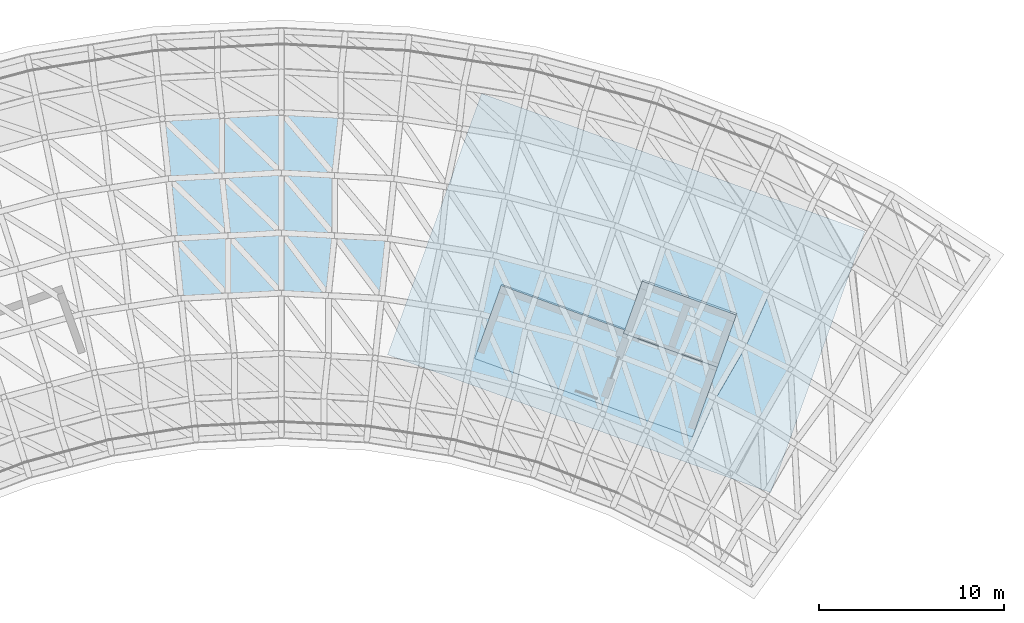
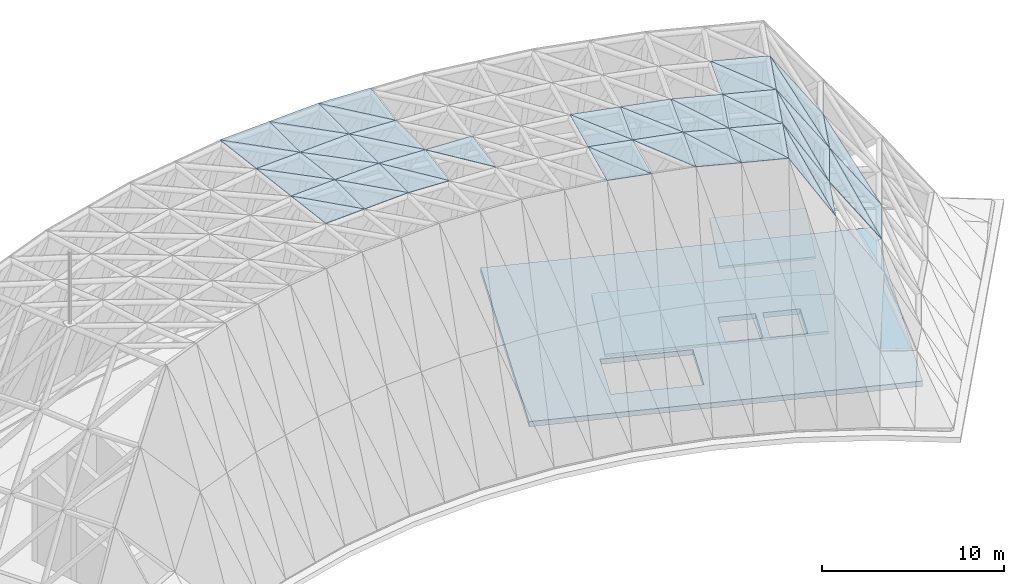
# One storey, part 16 of 20: 45 plates, 3 slabs, 26 elements without a shape of their own.
"""IFC4 building model written with IfcOpenShell, lengths in metres."""

from ifc_helpers import new_model, si_unit, direction, frame, origin, place, context, subcontext, project, spatial, polyline, outline, extrude, material, layer, layer_set, type_object, element, aggregate, save


model = new_model("IFC4")

# Units and contexts
model_context = context("Model", 3, precision=1e-05, world=origin(), true_north=direction((0.0, 1.0)))
body_context = subcontext(model_context, "Body", "Model", "MODEL_VIEW")
ifc_project = project(units=[si_unit("LENGTHUNIT", "METRE"), si_unit("AREAUNIT", "SQUARE_METRE"), si_unit("VOLUMEUNIT", "CUBIC_METRE"), si_unit("PLANEANGLEUNIT", "RADIAN"), si_unit("MASSUNIT", "GRAM", prefix="KILO")], contexts=[model_context])

# Site, building, storey
site_placement = place(None, origin())
site = spatial("IfcSite", under=ifc_project, at=site_placement, CompositionType="ELEMENT")
building_placement = place(site_placement, origin())
building = spatial("IfcBuilding", under=site, at=building_placement, Name="Stone Belt Terrace Tower", CompositionType="ELEMENT")
storey_placement = place(building_placement, frame((0.0, 0.0, 337.39990234375)))
storey = spatial("IfcBuildingStorey", under=building, at=storey_placement, Name="RF", CompositionType="ELEMENT", Elevation=337.39990234375)

# Slab
ifc_material_1 = material(Name="Concrete B40", Category="concrete")
ifc_layer_1 = layer(ifc_material_1, 0.35009765625)
ifc_layer_set_1 = layer_set([ifc_layer_1], Name="Core roof slab 350")
slab_type_1 = type_object("IfcSlabType", Name="Core roof slab 350", PredefinedType="ROOF", material=ifc_layer_set_1)
slab_1_placement = place(storey_placement, frame((0.0, 0.0, -0.349853515625)))
element("IfcSlab", 1, at=slab_1_placement, inside=storey, type_object=slab_type_1, Name="Core B roof", PredefinedType="ROOF", context=body_context, shape_type="SweptSolid", body=[
    extrude(outline(polyline([(26.43505859375, 40.968994140625), (31.513916015625, 55.0830078125), (10.81396484375, 62.531982421875), (5.735107421875, 48.4189453125), (26.43505859375, 40.968994140625)]), holes=[polyline([(15.846923828125, 46.69189453125), (10.955078125, 48.452880859375), (12.10595703125, 51.652099609375), (16.998046875, 49.89208984375), (15.846923828125, 46.69189453125)]), polyline([(24.06298828125, 50.324951171875), (23.25, 48.06689453125), (21.27392578125, 48.778076171875), (22.0869140625, 51.035888671875), (24.06298828125, 50.324951171875)]), polyline([(21.7109375, 51.1708984375), (20.89794921875, 48.9130859375), (18.922119140625, 49.6240234375), (19.735107421875, 51.883056640625), (21.7109375, 51.1708984375)])]), origin(), (0.0, 0.0, 1.0), 0.349853515625),
])

# Curtain wall, plate
ifc_material_2 = material(Name="Structural steel C345", Category="steel")
ifc_layer_2 = layer(ifc_material_2, 0.324951171875)
ifc_layer_set_2 = layer_set([ifc_layer_2], Name="CW-F glass point curtain wall")
curtain_wall_type = type_object("IfcCurtainWallType", Name="CW-F glass point curtain wall", PredefinedType="NOTDEFINED", material=ifc_layer_set_2)
curtain_wall_1_placement = place(storey_placement, origin())
curtain_wall_1 = element("IfcCurtainWall", 2, at=curtain_wall_1_placement, inside=storey, type_object=curtain_wall_type, Name="CW-F glass point panels 24", PredefinedType="NOTDEFINED")
ifc_material_3 = material(Name="Clear double glazed unit")
ifc_layer_3 = layer(ifc_material_3, 0.044921875)
ifc_layer_set_3 = layer_set([ifc_layer_3], Name="Glass point facet panel 45")
plate_type = type_object("IfcPlateType", Name="Glass point facet panel 45", PredefinedType="CURTAIN_PANEL", material=ifc_layer_set_3)
plate_1_placement = place(storey_placement, frame((-6.448486328125, 61.318115234375, 15.37060546875), z_axis=(0.000151312386, 3.68658e-07, 0.999999988552), x_axis=(0.998628027032, 0.052364499299, -0.000151124096)))
plate_1 = element("IfcPlate", 3, at=plate_1_placement, type_object=plate_type, Name="GLASS POINT FACET 169", PredefinedType="CURTAIN_PANEL", context=body_context, shape_type="SweptSolid", body=[
    extrude(outline(polyline([(0.0, 0.0), (3.230995338262432, -1.659822974613651e-17), (3.060879802423512, -3.4027428392990324), (0.0, 0.0)])), origin(), (0.0, 0.0, -1.0), 0.044921875),
])

curtain_wall_2_placement = place(storey_placement, origin())
curtain_wall_2 = element("IfcCurtainWall", 4, at=curtain_wall_2_placement, inside=storey, type_object=curtain_wall_type, Name="CW-F glass point panels 4", PredefinedType="NOTDEFINED")
plate_2_placement = place(storey_placement, frame((-0.002197265625, 61.65625, 15.37060546875), z_axis=(-0.000144062428, -0.000143410808, 0.99999997934), x_axis=(0.000788134733, -0.999999679155, -0.000143297224)))
plate_2 = element("IfcPlate", 5, at=plate_2_placement, type_object=plate_type, Name="GLASS POINT FACET 170", PredefinedType="CURTAIN_PANEL", context=body_context, shape_type="SweptSolid", body=[
    extrude(outline(polyline([(0.0, 0.0), (3.407471796396234, 4.485436502405546e-19), (0.16640659543462277, -3.221323590968317), (0.0, 0.0)])), origin(), (0.0, 0.0, -1.0), 0.044921875),
])

curtain_wall_3_placement = place(storey_placement, origin())
curtain_wall_3 = element("IfcCurtainWall", 6, at=curtain_wall_3_placement, inside=storey, type_object=curtain_wall_type, Name="CW-F glass point panels 11", PredefinedType="NOTDEFINED")
plate_3_placement = place(storey_placement, frame((0.00048828125, 54.998779296875, 15.3701171875), z_axis=(0.0, 0.0, 1.0), x_axis=(-0.721828496558, 0.692071977151, 0.0)))
plate_3 = element("IfcPlate", 7, at=plate_3_placement, type_object=plate_type, Name="GLASS POINT FACET 171", PredefinedType="CURTAIN_PANEL", context=body_context, shape_type="SweptSolid", body=[
    extrude(outline(polyline([(0.0, 0.0), (4.4551030166245, 0.0), (2.250416665934834, -2.3471762074347637), (0.0, 0.0)])), origin(), (0.0, 0.0, -1.0), 0.044921875),
])
aggregate(curtain_wall_3, [plate_3])

curtain_wall_4_placement = place(storey_placement, origin())
curtain_wall_4 = element("IfcCurtainWall", 8, at=curtain_wall_4_placement, inside=storey, type_object=curtain_wall_type, Name="CW-F glass point panels 17", PredefinedType="NOTDEFINED")
plate_4_placement = place(storey_placement, frame((-3.222900390625, 61.48779296875, 15.3701171875), z_axis=(0.0, 0.0, 1.0), x_axis=(0.705528871447, -0.70868117765, 0.0)))
plate_4 = element("IfcPlate", 9, at=plate_4_placement, type_object=plate_type, Name="GLASS POINT FACET 172", PredefinedType="CURTAIN_PANEL", context=body_context, shape_type="SweptSolid", body=[
    extrude(outline(polyline([(0.0, 0.0), (4.569447238232661, 4.440892098500626e-16), (2.419975489669198, -2.3978426253181606), (0.0, 0.0)])), origin(), (0.0, 0.0, -1.0), 0.044921875),
])
aggregate(curtain_wall_4, [plate_4])

curtain_wall_5_placement = place(storey_placement, origin())
curtain_wall_5 = element("IfcCurtainWall", 10, at=curtain_wall_5_placement, inside=storey, type_object=curtain_wall_type, Name="CW-F glass point panels 31", PredefinedType="NOTDEFINED")
plate_5_placement = place(storey_placement, frame((-6.4482421875, 61.31884765625, 15.37060546875), z_axis=(7.516934e-06, -0.000143296116, 0.999999989705), x_axis=(0.706813344227, -0.707400088381, -0.000106680755)))
plate_5 = element("IfcPlate", 11, at=plate_5_placement, type_object=plate_type, Name="GLASS POINT FACET 173", PredefinedType="CURTAIN_PANEL", context=body_context, shape_type="SweptSolid", body=[
    extrude(outline(polyline([(0.0, 0.0), (4.577032180133347, 2.1889316590521248e-16), (2.6508127578385237, -2.1412820259391943), (0.0, 0.0)])), origin(), (0.0, 0.0, -1.0), 0.044921875),
])
aggregate(curtain_wall_5, [plate_5])

curtain_wall_6_placement = place(storey_placement, origin())
curtain_wall_6 = element("IfcCurtainWall", 12, at=curtain_wall_6_placement, inside=storey, type_object=curtain_wall_type, Name="CW-F glass point panels 37", PredefinedType="NOTDEFINED")
plate_6_placement = place(storey_placement, frame((0.001220703125, 54.99951171875, 15.3701171875), z_axis=(0.0, 0.0, 1.0), x_axis=(-0.998626946495, -0.052385319831, 0.0)))
plate_6 = element("IfcPlate", 13, at=plate_6_placement, type_object=plate_type, Name="GLASS POINT FACET 174", PredefinedType="CURTAIN_PANEL", context=body_context, shape_type="SweptSolid", body=[
    extrude(outline(polyline([(0.0, 0.0), (2.880175337967476, 0.0), (3.050131484870395, -3.247493048199742), (0.0, 0.0)])), origin(), (0.0, 0.0, -1.0), 0.044921875),
])
aggregate(curtain_wall_6, [plate_6])

curtain_wall_7_placement = place(storey_placement, origin())
curtain_wall_7 = element("IfcCurtainWall", 14, at=curtain_wall_7_placement, inside=storey, type_object=curtain_wall_type, Name="CW-F glass point panels 43", PredefinedType="NOTDEFINED")
plate_7_placement = place(storey_placement, frame((-5.74951171875, 54.697998046875, 15.3701171875), z_axis=(0.0, 0.0, 1.0), x_axis=(-0.104505013123, 0.994524359798, 0.0)))
plate_7 = element("IfcPlate", 15, at=plate_7_placement, type_object=plate_type, Name="GLASS POINT FACET 175", PredefinedType="CURTAIN_PANEL", context=body_context, shape_type="SweptSolid", body=[
    extrude(outline(polyline([(0.0, 0.0), (3.2519372979772747, -5.551115123125783e-17), (-0.1505267346791214, -2.8762391554915783), (0.0, 0.0)])), origin(), (0.0, 0.0, -1.0), 0.044921875),
])

curtain_wall_8_placement = place(storey_placement, origin())
curtain_wall_8 = element("IfcCurtainWall", 16, at=curtain_wall_8_placement, inside=storey, type_object=curtain_wall_type, Name="CW-F glass point panels 48", PredefinedType="NOTDEFINED")
plate_8_placement = place(storey_placement, frame((-3.2138671875, 58.082275390625, 15.3701171875), z_axis=(0.0, 0.0, 1.0), x_axis=(0.104579267768, -0.994516554288, 0.0)))
plate_8 = element("IfcPlate", 17, at=plate_8_placement, type_object=plate_type, Name="GLASS POINT FACET 176", PredefinedType="CURTAIN_PANEL", context=body_context, shape_type="SweptSolid", body=[
    extrude(outline(polyline([(0.0, 0.0), (3.2519628209608173, 0.0), (-0.15071595306581043, -2.8759851066881374), (0.0, 0.0)])), origin(), (0.0, 0.0, -1.0), 0.044921875),
])
aggregate(curtain_wall_8, [plate_8])

# Plate
plate_9_placement = place(storey_placement, frame((-5.750244140625, 54.69921875, 15.3701171875), z_axis=(0.0, 0.0, 1.0), x_axis=(0.998626946495, 0.052385319831, 0.0)))
plate_9 = element("IfcPlate", 18, at=plate_9_placement, type_object=plate_type, Name="GLASS POINT FACET 177", PredefinedType="CURTAIN_PANEL", context=body_context, shape_type="SweptSolid", body=[
    extrude(outline(polyline([(0.0, 0.0), (2.880175337967476, 0.0), (2.709820733437559, -3.2474880193640008), (0.0, 0.0)])), origin(), (0.0, 0.0, -1.0), 0.044921875),
])

aggregate(curtain_wall_1, [plate_1, plate_9])

plate_10_placement = place(storey_placement, frame((0.00048828125, 55.000732421875, 15.3701171875), z_axis=(0.0, 0.0, 1.0), x_axis=(0.0, -1.0, 0.0)))
plate_10 = element("IfcPlate", 19, at=plate_10_placement, type_object=plate_type, Name="GLASS POINT FACET 178", PredefinedType="CURTAIN_PANEL", context=body_context, shape_type="SweptSolid", body=[
    extrude(outline(polyline([(0.0, 0.0), (3.251953125, 0.0), (0.15087890625, -2.8759765625), (0.0, 0.0)])), origin(), (0.0, 0.0, -1.0), 0.044921875),
])

# Curtain wall, plate
curtain_wall_9_placement = place(storey_placement, origin())
curtain_wall_9 = element("IfcCurtainWall", 20, at=curtain_wall_9_placement, inside=storey, type_object=curtain_wall_type, Name="CW-F glass point panels 18", PredefinedType="NOTDEFINED")
plate_11_placement = place(storey_placement, frame((-2.875, 54.8505859375, 15.3701171875), z_axis=(0.0, 0.0, 1.0), x_axis=(0.679994864768, -0.733216873708, 0.0)))
plate_11 = element("IfcPlate", 21, at=plate_11_placement, type_object=plate_type, Name="GLASS POINT FACET 180", PredefinedType="CURTAIN_PANEL", context=body_context, shape_type="SweptSolid", body=[
    extrude(outline(polyline([(0.0, 0.0), (4.229409237499398, -4.440892098500626e-16), (2.3843869037566576, -2.2113114254647637), (0.0, 0.0)])), origin(), (0.0, 0.0, -1.0), 0.044921875),
])
aggregate(curtain_wall_9, [plate_11])

curtain_wall_10_placement = place(storey_placement, origin())
curtain_wall_10 = element("IfcCurtainWall", 22, at=curtain_wall_10_placement, inside=storey, type_object=curtain_wall_type, Name="CW-F glass point panels 51", PredefinedType="NOTDEFINED")
plate_12_placement = place(storey_placement, frame((-5.749755859375, 54.699951171875, 15.3701171875), z_axis=(0.0, 0.0, 1.0), x_axis=(0.67999711718, -0.733214784784, 0.0)))
plate_12 = element("IfcPlate", 23, at=plate_12_placement, type_object=plate_type, Name="GLASS POINT FACET 181", PredefinedType="CURTAIN_PANEL", context=body_context, shape_type="SweptSolid", body=[
    extrude(outline(polyline([(0.0, 0.0), (4.2297542599164455, 0.0), (2.602405332312619, -1.9500211989428697), (0.0, 0.0)])), origin(), (0.0, 0.0, -1.0), 0.044921875),
])

curtain_wall_11_placement = place(storey_placement, origin())
curtain_wall_11 = element("IfcCurtainWall", 24, at=curtain_wall_11_placement, inside=storey, type_object=curtain_wall_type, Name="CW-F glass point panels 25", PredefinedType="NOTDEFINED")
plate_13_placement = place(storey_placement, frame((-0.003662109375, 61.65625, 15.37060546875), z_axis=(0.000150522676, -1.545129e-05, 0.999999988552), x_axis=(0.998631975545, -0.052289143998, -0.000151124694)))
plate_13 = element("IfcPlate", 25, at=plate_13_placement, type_object=plate_type, Name="GLASS POINT FACET 201", PredefinedType="CURTAIN_PANEL", context=body_context, shape_type="SweptSolid", body=[
    extrude(outline(polyline([(0.0, 0.0), (3.2309825631594724, -8.021687387809555e-18), (3.06077439221905, -3.402715154851295), (0.0, 0.0)])), origin(), (0.0, 0.0, -1.0), 0.044921875),
])

# Plate
plate_14_placement = place(storey_placement, frame((-0.003173828125, 61.656982421875, 15.37060546875), z_axis=(-7.517943e-06, -0.000143303194, 0.999999989704), x_axis=(0.628946538376, -0.777448545232, -0.000106682476)))
plate_14 = element("IfcPlate", 26, at=plate_14_placement, type_object=plate_type, Name="GLASS POINT FACET 205", PredefinedType="CURTAIN_PANEL", context=body_context, shape_type="SweptSolid", body=[
    extrude(outline(polyline([(0.0, 0.0), (4.576958348172848, -2.892250643728156e-16), (2.6508222585673407, -2.141029050881777), (0.0, 0.0)])), origin(), (0.0, 0.0, -1.0), 0.044921875),
])

plate_15_placement = place(storey_placement, frame((-0.00048828125, 54.99951171875, 15.3701171875), z_axis=(0.0, 0.0, 1.0), x_axis=(0.0, 1.0, 0.0)))
plate_15 = element("IfcPlate", 27, at=plate_15_placement, type_object=plate_type, Name="GLASS POINT FACET 207", PredefinedType="CURTAIN_PANEL", context=body_context, shape_type="SweptSolid", body=[
    extrude(outline(polyline([(0.0, 0.0), (3.251708984375, 0.0), (-0.15087890625, -2.876220703125), (0.0, 0.0)])), origin(), (0.0, 0.0, -1.0), 0.044921875),
])

aggregate(curtain_wall_7, [plate_7, plate_15])

# Curtain wall, plate
curtain_wall_12_placement = place(storey_placement, origin())
curtain_wall_12 = element("IfcCurtainWall", 28, at=curtain_wall_12_placement, inside=storey, type_object=curtain_wall_type, Name="CW-F glass point panels 49", PredefinedType="NOTDEFINED")
plate_16_placement = place(storey_placement, frame((2.875, 58.099853515625, 15.3701171875), z_axis=(0.0, 0.0, 1.0), x_axis=(0.0, -1.0, 0.0)))
plate_16 = element("IfcPlate", 29, at=plate_16_placement, type_object=plate_type, Name="GLASS POINT FACET 208", PredefinedType="CURTAIN_PANEL", context=body_context, shape_type="SweptSolid", body=[
    extrude(outline(polyline([(0.0, 0.0), (3.251708984375, 0.0), (-0.15087890625, -2.8759765625), (0.0, 0.0)])), origin(), (0.0, 0.0, -1.0), 0.044921875),
])

# Plate
plate_17_placement = place(storey_placement, frame((-0.0009765625, 55.000732421875, 15.3701171875), z_axis=(0.0, 0.0, 1.0), x_axis=(0.998626946495, -0.052385319831, 0.0)))
plate_17 = element("IfcPlate", 30, at=plate_17_placement, type_object=plate_type, Name="GLASS POINT FACET 209", PredefinedType="CURTAIN_PANEL", context=body_context, shape_type="SweptSolid", body=[
    extrude(outline(polyline([(0.0, 0.0), (2.880175337967476, 0.0), (2.709962596272974, -3.2472620321776073), (0.0, 0.0)])), origin(), (0.0, 0.0, -1.0), 0.044921875),
])

aggregate(curtain_wall_11, [plate_13, plate_17])

plate_18_placement = place(storey_placement, frame((5.749755859375, 54.69921875, 15.3701171875), z_axis=(0.0, 0.0, 1.0), x_axis=(-0.104587076569, -0.994515733116, 0.0)))
plate_18 = element("IfcPlate", 31, at=plate_18_placement, type_object=plate_type, Name="GLASS POINT FACET 210", PredefinedType="CURTAIN_PANEL", context=body_context, shape_type="SweptSolid", body=[
    extrude(outline(polyline([(0.0, 0.0), (3.251720019167918, 0.0), (0.15076406884556512, -2.8762267248916933), (0.0, 0.0)])), origin(), (0.0, 0.0, -1.0), 0.044921875),
])

aggregate(curtain_wall_2, [plate_2, plate_10, plate_18])

plate_19_placement = place(storey_placement, frame((-0.00048828125, 55.00146484375, 15.3701171875), z_axis=(0.0, 0.0, 1.0), x_axis=(0.599639774386, -0.800270042532, 0.0)))
plate_19 = element("IfcPlate", 32, at=plate_19_placement, type_object=plate_type, Name="GLASS POINT FACET 213", PredefinedType="CURTAIN_PANEL", context=body_context, shape_type="SweptSolid", body=[
    extrude(outline(polyline([(0.0, 0.0), (4.229834413037971, 0.0), (2.6026360440840084, -1.9501468346187352), (0.0, 0.0)])), origin(), (0.0, 0.0, -1.0), 0.044921875),
])

aggregate(curtain_wall_10, [plate_12, plate_14, plate_19])

# Curtain wall, plate
curtain_wall_13_placement = place(storey_placement, origin())
curtain_wall_13 = element("IfcCurtainWall", 33, at=curtain_wall_13_placement, inside=storey, type_object=curtain_wall_type, Name="CW-F glass point panels 26", PredefinedType="NOTDEFINED")
plate_20_placement = place(storey_placement, frame((11.434326171875, 53.799072265625, 15.3701171875), z_axis=(0.0, 0.0, 1.0), x_axis=(0.965910588907, -0.258875905092, 0.0)))
plate_20 = element("IfcPlate", 34, at=plate_20_placement, type_object=plate_type, Name="GLASS POINT FACET 273", PredefinedType="CURTAIN_PANEL", context=body_context, shape_type="SweptSolid", body=[
    extrude(outline(polyline([(0.0, 0.0), (2.880165570006592, 0.0), (2.7101199415538506, -3.2472467419542057), (0.0, 0.0)])), origin(), (0.0, 0.0, -1.0), 0.044921875),
])

curtain_wall_14_placement = place(storey_placement, origin())
curtain_wall_14 = element("IfcCurtainWall", 35, at=curtain_wall_14_placement, inside=storey, type_object=curtain_wall_type, Name="CW-F glass point panels 5", PredefinedType="NOTDEFINED")
plate_21_placement = place(storey_placement, frame((16.99658203125, 52.30859375, 15.3701171875), z_axis=(0.0, 0.0, 1.0), x_axis=(-0.30901137769, -0.951058341248, 0.0)))
plate_21 = element("IfcPlate", 36, at=plate_21_placement, type_object=plate_type, Name="GLASS POINT FACET 274", PredefinedType="CURTAIN_PANEL", context=body_context, shape_type="SweptSolid", body=[
    extrude(outline(polyline([(0.0, 0.0), (3.2519281976334407, 0.0), (0.15078211253601015, -2.8761527184113387), (0.0, 0.0)])), origin(), (0.0, 0.0, -1.0), 0.044921875),
])
aggregate(curtain_wall_14, [plate_21])

curtain_wall_15_placement = place(storey_placement, origin())
curtain_wall_15 = element("IfcCurtainWall", 37, at=curtain_wall_15_placement, inside=storey, type_object=curtain_wall_type, Name="CW-F glass point panels 12", PredefinedType="NOTDEFINED")
plate_22_placement = place(storey_placement, frame((14.936767578125, 45.977783203125, 15.37060546875), z_axis=(3.714941e-05, 0.000138610846, 0.999999989703), x_axis=(-0.397478074228, 0.917611665068, -0.000112424855)))
plate_22 = element("IfcPlate", 38, at=plate_22_placement, type_object=plate_type, Name="GLASS POINT FACET 275", PredefinedType="CURTAIN_PANEL", context=body_context, shape_type="SweptSolid", body=[
    extrude(outline(polyline([(0.0, 0.0), (4.343178835030279, 1.1529015737659525e-16), (2.553225543784213, -2.2564177197072306), (0.0, 0.0)])), origin(), (0.0, 0.0, -1.0), 0.044921875),
])
aggregate(curtain_wall_15, [plate_22])

curtain_wall_16_placement = place(storey_placement, origin())
curtain_wall_16 = element("IfcCurtainWall", 39, at=curtain_wall_16_placement, inside=storey, type_object=curtain_wall_type, Name="CW-F glass point panels 33", PredefinedType="NOTDEFINED")
plate_23_placement = place(storey_placement, frame((14.21533203125, 53.054443359375, 15.3701171875), z_axis=(0.0, 0.0, 1.0), x_axis=(0.420159658397, -0.907450197783, 0.0)))
plate_23 = element("IfcPlate", 40, at=plate_23_placement, type_object=plate_type, Name="GLASS POINT FACET 276", PredefinedType="CURTAIN_PANEL", context=body_context, shape_type="SweptSolid", body=[
    extrude(outline(polyline([(0.0, 0.0), (4.229581716995199, -2.220446049250313e-16), (2.384326648327134, -2.2113397379508584), (0.0, 0.0)])), origin(), (0.0, 0.0, -1.0), 0.044921875),
])

# Plate
plate_24_placement = place(storey_placement, frame((11.434814453125, 53.799560546875, 15.3701171875), z_axis=(0.0, 0.0, 1.0), x_axis=(0.42018518055, -0.907438380303, 0.0)))
plate_24 = element("IfcPlate", 41, at=plate_24_placement, type_object=plate_type, Name="GLASS POINT FACET 277", PredefinedType="CURTAIN_PANEL", context=body_context, shape_type="SweptSolid", body=[
    extrude(outline(polyline([(0.0, 0.0), (4.22990584216824, 0.0), (2.6024223369192683, -1.9500218731545689), (0.0, 0.0)])), origin(), (0.0, 0.0, -1.0), 0.044921875),
])

aggregate(curtain_wall_12, [plate_16, plate_24])

# Curtain wall, plate
curtain_wall_17_placement = place(storey_placement, origin())
curtain_wall_17 = element("IfcCurtainWall", 42, at=curtain_wall_17_placement, inside=storey, type_object=curtain_wall_type, Name="CW-F glass point panels 39", PredefinedType="NOTDEFINED")
plate_25_placement = place(storey_placement, frame((10.048095703125, 47.287841796875, 15.37060546875), z_axis=(0.00022580059, 9.8325604e-05, 0.999999969673), x_axis=(0.208692374205, 0.977981325189, -0.00014328347)))
plate_25 = element("IfcPlate", 43, at=plate_25_placement, type_object=plate_type, Name="GLASS POINT FACET 279", PredefinedType="CURTAIN_PANEL", context=body_context, shape_type="SweptSolid", body=[
    extrude(outline(polyline([(0.0, 0.0), (3.407798887397902, -1.6150390440187545e-16), (-0.1304441202966066, -2.530948920697609), (0.0, 0.0)])), origin(), (0.0, 0.0, -1.0), 0.044921875),
])

curtain_wall_18_placement = place(storey_placement, origin())
curtain_wall_18 = element("IfcCurtainWall", 44, at=curtain_wall_18_placement, inside=storey, type_object=curtain_wall_type, Name="CW-F glass point panels 44", PredefinedType="NOTDEFINED")
plate_26_placement = place(storey_placement, frame((13.2119140625, 49.962646484375, 15.3701171875), z_axis=(0.0, 0.0, 1.0), x_axis=(-0.210233693117, -0.977651161856, 0.0)))
plate_26 = element("IfcPlate", 45, at=plate_26_placement, type_object=plate_type, Name="GLASS POINT FACET 280", PredefinedType="CURTAIN_PANEL", context=body_context, shape_type="SweptSolid", body=[
    extrude(outline(polyline([(0.0, 0.0), (3.4072016865157577, 0.0), (-0.12699614178408025, -2.536761684827862), (0.0, 0.0)])), origin(), (0.0, 0.0, -1.0), 0.044921875),
])
aggregate(curtain_wall_18, [plate_26])

curtain_wall_19_placement = place(storey_placement, origin())
curtain_wall_19 = element("IfcCurtainWall", 46, at=curtain_wall_19_placement, inside=storey, type_object=curtain_wall_type, Name="CW-F glass point panels 13", PredefinedType="NOTDEFINED")
plate_27_placement = place(storey_placement, frame((22.4697265625, 50.195556640625, 15.374755859375), z_axis=(0.000513499916, 0.00133103619, 0.99999898233), x_axis=(-0.392912397404, 0.919575338412, -0.001022228612)))
plate_27 = element("IfcPlate", 47, at=plate_27_placement, type_object=plate_type, Name="GLASS POINT FACET 299", PredefinedType="CURTAIN_PANEL", context=body_context, shape_type="SweptSolid", body=[
    extrude(outline(polyline([(0.0, 0.0), (4.537802818534426, 8.013439900794034e-17), (2.217929394990697, -2.3829207578905045), (0.0, 0.0)])), origin(), (0.0, 0.0, -1.0), 0.044921875),
])

curtain_wall_20_placement = place(storey_placement, origin())
curtain_wall_20 = element("IfcCurtainWall", 48, at=curtain_wall_20_placement, inside=storey, type_object=curtain_wall_type, Name="CW-F glass point panels 19", PredefinedType="NOTDEFINED")
plate_28_placement = place(storey_placement, frame((22.470458984375, 50.19580078125, 15.374755859375), z_axis=(-0.001477822211, 0.000480163895, 0.999998792741), x_axis=(-0.932436560144, 0.361330394836, -0.001551475142)))
plate_28 = element("IfcPlate", 49, at=plate_28_placement, type_object=plate_type, Name="GLASS POINT FACET 302", PredefinedType="CURTAIN_PANEL", context=body_context, shape_type="SweptSolid", body=[
    extrude(outline(polyline([(0.0, 0.0), (2.989846082875358, 2.195157351214444e-16), (3.170369657151445, -3.2469136486352794), (0.0, 0.0)])), origin(), (0.0, 0.0, -1.0), 0.044921875),
])
aggregate(curtain_wall_20, [plate_28])

# Plate
plate_29_placement = place(storey_placement, frame((16.9951171875, 52.30908203125, 15.3701171875), z_axis=(0.0, 0.0, 1.0), x_axis=(0.933576980361, -0.358376926908, 0.0)))
plate_29 = element("IfcPlate", 50, at=plate_29_placement, type_object=plate_type, Name="GLASS POINT FACET 305", PredefinedType="CURTAIN_PANEL", context=body_context, shape_type="SweptSolid", body=[
    extrude(outline(polyline([(0.0, 0.0), (2.8802818624665933, 0.0), (2.7100207216029313, -3.2474245329639615), (0.0, 0.0)])), origin(), (0.0, 0.0, -1.0), 0.044921875),
])

aggregate(curtain_wall_13, [plate_20, plate_29])

# Curtain wall, plate
curtain_wall_21_placement = place(storey_placement, origin())
curtain_wall_21 = element("IfcCurtainWall", 51, at=curtain_wall_21_placement, inside=storey, type_object=curtain_wall_type, Name="CW-F glass point panels 6", PredefinedType="NOTDEFINED")
plate_30_placement = place(storey_placement, frame((22.470458984375, 50.197021484375, 15.374755859375), z_axis=(-0.001936131963, -0.000702816836, 0.999997878719), x_axis=(-0.405914856291, -0.913909781998, -0.001428218939)))
plate_30 = element("IfcPlate", 52, at=plate_30_placement, type_object=plate_type, Name="GLASS POINT FACET 306", PredefinedType="CURTAIN_PANEL", context=body_context, shape_type="SweptSolid", body=[
    extrude(outline(polyline([(0.0, 0.0), (3.2478717015799528, 6.583140066060422e-17), (0.14419191891680966, -2.986683304436067), (0.0, 0.0)])), origin(), (0.0, 0.0, -1.0), 0.044921875),
])

# Plate
plate_31_placement = place(storey_placement, frame((19.7421875, 44.105712890625, 15.397705078125), z_axis=(0.002903032865, 0.00751856587, 0.999967521256), x_axis=(-0.312295217579, 0.949964636049, -0.006235970947)))
plate_31 = element("IfcPlate", 53, at=plate_31_placement, type_object=plate_type, Name="GLASS POINT FACET 307", PredefinedType="CURTAIN_PANEL", context=body_context, shape_type="SweptSolid", body=[
    extrude(outline(polyline([(0.0, 0.0), (4.423992809068206, 4.3530717225293e-17), (2.527810134204621, -2.3159077035307694), (0.0, 0.0)])), origin(), (0.0, 0.0, -1.0), 0.044921875),
])

plate_32_placement = place(storey_placement, frame((19.68310546875, 51.27783203125, 15.3701171875), z_axis=(0.0, 0.0, 1.0), x_axis=(0.341215096781, -0.939985243357, 0.0)))
plate_32 = element("IfcPlate", 54, at=plate_32_placement, type_object=plate_type, Name="GLASS POINT FACET 308", PredefinedType="CURTAIN_PANEL", context=body_context, shape_type="SweptSolid", body=[
    extrude(outline(polyline([(0.0, 0.0), (4.307331581653435, 0.0), (2.341156802223647, -2.2567884181863853), (0.0, 0.0)])), origin(), (0.0, 0.0, -1.0), 0.044921875),
])

aggregate(curtain_wall_16, [plate_23, plate_32])

# Curtain wall, plate
curtain_wall_22_placement = place(storey_placement, origin())
curtain_wall_22 = element("IfcCurtainWall", 55, at=curtain_wall_22_placement, inside=storey, type_object=curtain_wall_type, Name="CW-F glass point panels 50", PredefinedType="NOTDEFINED")
plate_33_placement = place(storey_placement, frame((16.995849609375, 52.3095703125, 15.3701171875), z_axis=(0.0, 0.0, 1.0), x_axis=(0.323007680873, -0.946396343028, 0.0)))
plate_33 = element("IfcPlate", 56, at=plate_33_placement, type_object=plate_type, Name="GLASS POINT FACET 309", PredefinedType="CURTAIN_PANEL", context=body_context, shape_type="SweptSolid", body=[
    extrude(outline(polyline([(0.0, 0.0), (4.229654644153998, 0.0), (2.6024046042507467, -1.9500069944330956), (0.0, 0.0)])), origin(), (0.0, 0.0, -1.0), 0.044921875),
])

curtain_wall_23_placement = place(storey_placement, origin())
curtain_wall_23 = element("IfcCurtainWall", 57, at=curtain_wall_23_placement, inside=storey, type_object=curtain_wall_type, Name="CW-F glass point panels 20", PredefinedType="NOTDEFINED")
plate_34_placement = place(storey_placement, frame((19.7431640625, 44.10595703125, 15.397705078125), z_axis=(-0.009999433042, 0.003275845327, 0.999944638556), x_axis=(-0.929987742573, 0.367440434422, -0.010503609686)))
plate_34 = element("IfcPlate", 58, at=plate_34_placement, type_object=plate_type, Name="GLASS POINT FACET 310", PredefinedType="CURTAIN_PANEL", context=body_context, shape_type="SweptSolid", body=[
    extrude(outline(polyline([(0.0, 0.0), (2.6265152123056263, -4.1663856609544525e-17), (2.8297783324857204, -3.4013006342419922), (0.0, 0.0)])), origin(), (0.0, 0.0, -1.0), 0.044921875),
])

# Plate
plate_35_placement = place(storey_placement, frame((14.93603515625, 45.978515625, 15.37060546875), z_axis=(0.000234844648, 7.4181109e-05, 0.999999969673), x_axis=(0.309772828672, 0.950810587913, -0.000143280679)))
plate_35 = element("IfcPlate", 59, at=plate_35_placement, type_object=plate_type, Name="GLASS POINT FACET 311", PredefinedType="CURTAIN_PANEL", context=body_context, shape_type="SweptSolid", body=[
    extrude(outline(polyline([(0.0, 0.0), (3.4078652637984708, 3.838218627408535e-17), (-0.1303847185610109, -2.530847380781104), (0.0, 0.0)])), origin(), (0.0, 0.0, -1.0), 0.044921875),
])

aggregate(curtain_wall_17, [plate_25, plate_35])

# Curtain wall, plate
curtain_wall_24_placement = place(storey_placement, origin())
curtain_wall_24 = element("IfcCurtainWall", 60, at=curtain_wall_24_placement, inside=storey, type_object=curtain_wall_type, Name="CW-F glass point panels 45", PredefinedType="NOTDEFINED")
plate_36_placement = place(storey_placement, frame((18.362060546875, 48.30810546875, 15.3701171875), z_axis=(0.0, 0.0, 1.0), x_axis=(-0.311322633033, -0.95030427662, 0.0)))
plate_36 = element("IfcPlate", 61, at=plate_36_placement, type_object=plate_type, Name="GLASS POINT FACET 312", PredefinedType="CURTAIN_PANEL", context=body_context, shape_type="SweptSolid", body=[
    extrude(outline(polyline([(0.0, 0.0), (3.4073687649739828, 0.0), (-0.12675022734978258, -2.536612771112277), (0.0, 0.0)])), origin(), (0.0, 0.0, -1.0), 0.044921875),
])

# Plate
plate_37_placement = place(storey_placement, frame((27.64697265625, 47.5458984375, 7.400634765625), z_axis=(0.738080444781, -0.328638860376, 0.589265438052), x_axis=(-0.524724851649, 0.26943573882, 0.807507407216)))
plate_37 = element("IfcPlate", 62, at=plate_37_placement, type_object=plate_type, Name="GLASS POINT FACET 334", PredefinedType="CURTAIN_PANEL", context=body_context, shape_type="SweptSolid", body=[
    extrude(outline(polyline([(0.0, 0.0), (4.88397706449319, -3.0531133177191805e-16), (4.996048858004936, -3.2497821854914157), (0.0, 0.0)])), origin(), (0.0, 0.0, -1.0), 0.044921875),
])

aggregate(curtain_wall_21, [plate_30, plate_37])

# Curtain wall, plate
curtain_wall_25_placement = place(storey_placement, origin())
curtain_wall_25 = element("IfcCurtainWall", 63, at=curtain_wall_25_placement, inside=storey, type_object=curtain_wall_type, Name="CW-F glass point panels 40", PredefinedType="NOTDEFINED")
plate_38_placement = place(storey_placement, frame((22.46923828125, 50.196533203125, 15.375244140625), z_axis=(0.739658695573, -0.327098830473, 0.588142303501), x_axis=(0.405393297586, 0.914141260126, -0.001425064321)))
plate_38 = element("IfcPlate", 64, at=plate_38_placement, type_object=plate_type, Name="GLASS POINT FACET 335", PredefinedType="CURTAIN_PANEL", context=body_context, shape_type="SweptSolid", body=[
    extrude(outline(polyline([(0.0, 0.0), (3.255061408223952, 3.903127820947816e-17), (-0.15432411635864032, -4.9862870877713), (0.0, 0.0)])), origin(), (0.0, 0.0, -1.0), 0.044921875),
])

# Plate
plate_39_placement = place(storey_placement, frame((26.404296875, 51.8330078125, 11.347900390625), z_axis=(0.738069050778, -0.328633827919, 0.589282515803), x_axis=(-0.405810613426, -0.913956077194, -0.001426531296)))
plate_39 = element("IfcPlate", 65, at=plate_39_placement, type_object=plate_type, Name="GLASS POINT FACET 336", PredefinedType="CURTAIN_PANEL", context=body_context, shape_type="SweptSolid", body=[
    extrude(outline(polyline([(0.0, 0.0), (3.2517140618508114, 1.214306433183765e-16), (-0.16771919668418683, -4.979663101328106), (0.0, 0.0)])), origin(), (0.0, 0.0, -1.0), 0.044921875),
])

# Curtain wall, plate
curtain_wall_26_placement = place(storey_placement, origin())
curtain_wall_26 = element("IfcCurtainWall", 66, at=curtain_wall_26_placement, inside=storey, type_object=curtain_wall_type, Name="CW-F glass point panels 27", PredefinedType="NOTDEFINED")
plate_40_placement = place(storey_placement, frame((22.46923828125, 50.197509765625, 15.3759765625), z_axis=(0.700389447886, -0.404319921534, 0.58820066503), x_axis=(0.524360375178, -0.267636667462, -0.808342013737)))
plate_40 = element("IfcPlate", 67, at=plate_40_placement, type_object=plate_type, Name="GLASS POINT FACET 337", PredefinedType="CURTAIN_PANEL", context=body_context, shape_type="SweptSolid", body=[
    extrude(outline(polyline([(0.0, 0.0), (4.988872006175828, -2.3592239273284576e-16), (4.896176520267819, -3.2497663740242726), (0.0, 0.0)])), origin(), (0.0, 0.0, -1.0), 0.044921875),
])
aggregate(curtain_wall_26, [plate_40])

# Plate
plate_41_placement = place(storey_placement, frame((27.64697265625, 47.546875, 7.4013671875), z_axis=(0.699462941403, -0.404165110855, 0.589408310742), x_axis=(-0.499119070338, -0.866531378322, -0.001877234355)))
plate_41 = element("IfcPlate", 68, at=plate_41_placement, type_object=plate_type, Name="GLASS POINT FACET 338", PredefinedType="CURTAIN_PANEL", context=body_context, shape_type="SweptSolid", body=[
    extrude(outline(polyline([(0.0, 0.0), (3.251333861627928, 5.377642775528102e-17), (0.13142719376201548, -4.882011185154803), (0.0, 0.0)])), origin(), (0.0, 0.0, -1.0), 0.044921875),
])

aggregate(curtain_wall_19, [plate_27, plate_31, plate_41])

plate_42_placement = place(storey_placement, frame((25.084716796875, 48.863037109375, 11.344482421875), z_axis=(0.699704555915, -0.403962387022, 0.589260489345), x_axis=(0.162269298053, -0.713378139715, -0.681733309063)))
plate_42 = element("IfcPlate", 69, at=plate_42_placement, type_object=plate_type, Name="GLASS POINT FACET 340", PredefinedType="CURTAIN_PANEL", context=body_context, shape_type="SweptSolid", body=[
    extrude(outline(polyline([(0.0, 0.0), (5.793982953981759, -2.220446049250313e-16), (1.7497620934533937, -2.7398049090333814), (0.0, 0.0)])), origin(), (0.0, 0.0, -1.0), 0.044921875),
])

aggregate(curtain_wall_23, [plate_34, plate_42])

plate_43_placement = place(storey_placement, frame((22.4697265625, 50.19775390625, 15.37548828125), z_axis=(0.768335528891, -0.342112559337, 0.540943168723), x_axis=(0.169088471933, -0.706640250395, -0.687072518139)))
plate_43 = element("IfcPlate", 70, at=plate_43_placement, type_object=plate_type, Name="GLASS POINT FACET 341", PredefinedType="CURTAIN_PANEL", context=body_context, shape_type="SweptSolid", body=[
    extrude(outline(polyline([(0.0, 0.0), (5.8765232921652535, -2.220446049250313e-16), (1.8777974400497468, -2.6496144495286442), (0.0, 0.0)])), origin(), (0.0, 0.0, -1.0), 0.044921875),
])

aggregate(curtain_wall_24, [plate_36, plate_43])

plate_44_placement = place(storey_placement, frame((19.74169921875, 44.106689453125, 15.398193359375), z_axis=(0.768366572352, -0.34209037334, 0.540913104815), x_axis=(0.411437904641, 0.911402261674, -0.008047859308)))
plate_44 = element("IfcPlate", 71, at=plate_44_placement, type_object=plate_type, Name="GLASS POINT FACET 343", PredefinedType="CURTAIN_PANEL", context=body_context, shape_type="SweptSolid", body=[
    extrude(outline(polyline([(0.0, 0.0), (3.427978741665028, 1.4224732503009818e-16), (0.003448727354984464, -4.831747661687542), (0.0, 0.0)])), origin(), (0.0, 0.0, -1.0), 0.044921875),
])

aggregate(curtain_wall_25, [plate_38, plate_44])

plate_45_placement = place(storey_placement, frame((23.46337890625, 46.04638671875, 11.33837890625), z_axis=(0.768377795193, -0.342079292456, 0.540904170373), x_axis=(-0.406151890737, -0.913805084612, -0.000953408194)))
plate_45 = element("IfcPlate", 72, at=plate_45_placement, type_object=plate_type, Name="GLASS POINT FACET 344", PredefinedType="CURTAIN_PANEL", context=body_context, shape_type="SweptSolid", body=[
    extrude(outline(polyline([(0.0, 0.0), (3.32892893541973, -1.2793585635328952e-16), (-0.1471595610415215, -4.794788843098632), (0.0, 0.0)])), origin(), (0.0, 0.0, -1.0), 0.044921875),
])

aggregate(curtain_wall_22, [plate_33, plate_39, plate_45])

# Slabs
ifc_layer_4 = layer(ifc_material_1, 0.25)
ifc_layer_set_4 = layer_set([ifc_layer_4], Name="Head-house roof slab 250")
slab_type_2 = type_object("IfcSlabType", Name="Head-house roof slab 250", PredefinedType="ROOF", material=ifc_layer_set_4)
slab_2_placement = place(storey_placement, frame((22.204345703125, 43.979248046875, 3.0), z_axis=(-0.093042012904, -0.258527251854, 0.961512789246), x_axis=(-0.940920685754, 0.338627026564, -8.73628e-07)))
element("IfcSlab", 73, at=slab_2_placement, inside=storey, type_object=slab_type_2, Name="Roof lobby B roof", PredefinedType="ROOF", context=body_context, shape_type="SweptSolid", body=[
    extrude(outline(polyline([(0.0, 0.0), (12.500222251818442, -4.440892098500626e-16), (12.50011177062358, -4.368195697461279), (0.00011923576943107345, -4.368116206740828), (0.0, 0.0)])), origin(), (0.0, 0.0, -1.0), 0.240478515625),
])
slab_3_placement = place(storey_placement, frame((23.558837890625, 47.742919921875, 5.25), z_axis=(-0.125780835118, -0.349499431304, 0.928455345741), x_axis=(-0.940920834877, 0.338626612206, 0.0)))
element("IfcSlab", 74, at=slab_3_placement, inside=storey, type_object=slab_type_2, Name="Roof lift shaft B roof", PredefinedType="ROOF", context=body_context, shape_type="SweptSolid", body=[
    extrude(outline(polyline([(0.0, 0.0), (5.4000873390834725, -2.220446049250313e-16), (5.400094491525163, -3.2311605522195315), (7.152441690012691e-06, -3.2311605522195315), (0.0, 0.0)])), origin(), (0.0, 0.0, -1.0), 0.232177734375),
])

save(model, "model.ifc")
